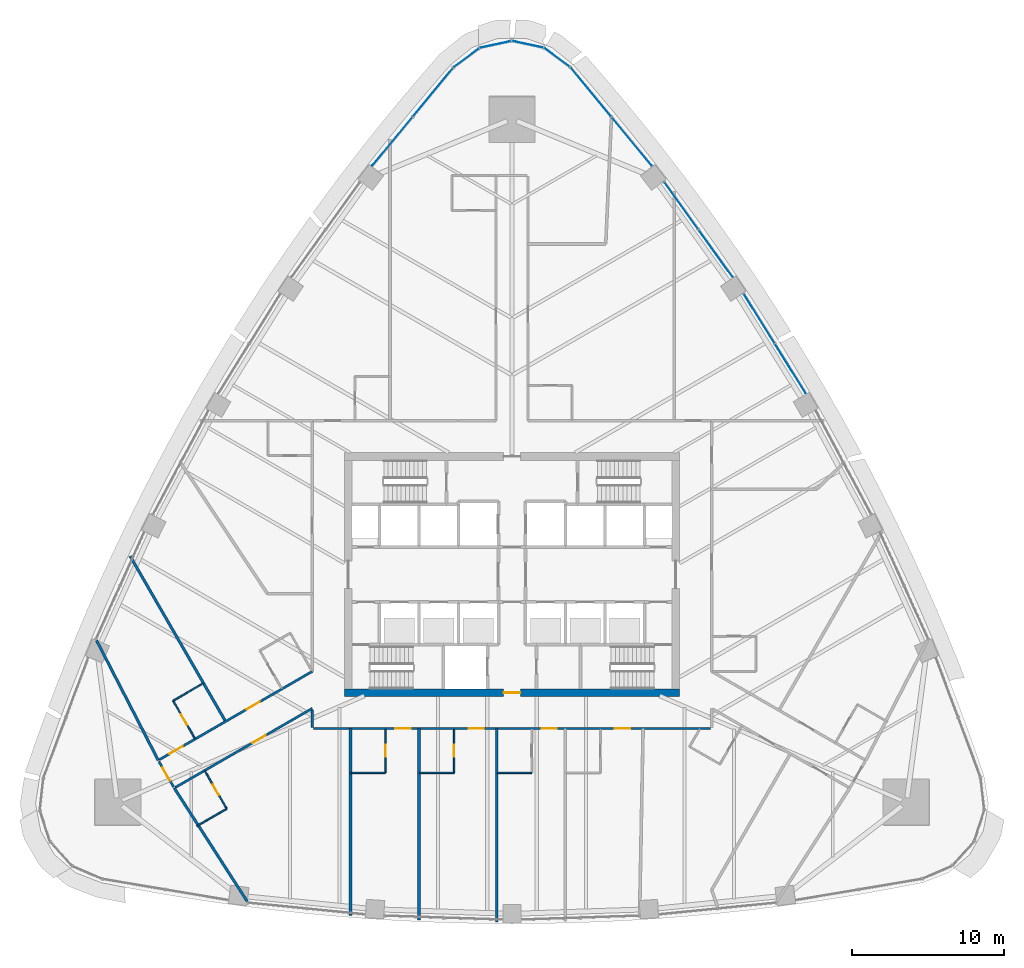
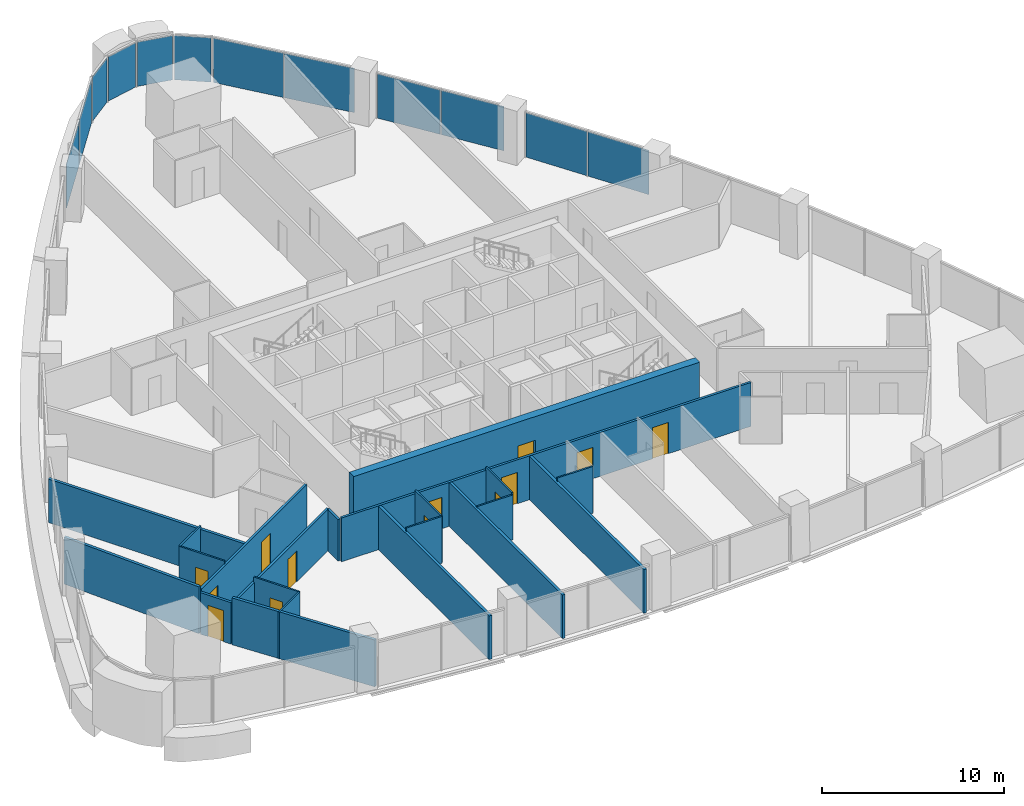
# One storey, part 9 of 17: 21 walls, 13 doors, 12 plates, 13 openings, 8 elements without a shape of their own.
"""IFC4 building model written with IfcOpenShell, lengths in metres."""

from ifc_helpers import new_model, si_unit, direction, frame, frame_2d, origin, origin_2d, place, context, subcontext, project, spatial, rectangle, extrude, material, layer, layer_set, type_object, element, fill, aggregate, save


model = new_model("IFC4")

# Units and contexts
model_context = context("Model", 3, precision=1e-05, world=origin(), true_north=direction((0.0, 1.0)))
body_context = subcontext(model_context, "Body", "Model", "MODEL_VIEW")
ifc_project = project(units=[si_unit("LENGTHUNIT", "METRE"), si_unit("AREAUNIT", "SQUARE_METRE"), si_unit("VOLUMEUNIT", "CUBIC_METRE"), si_unit("PLANEANGLEUNIT", "RADIAN"), si_unit("MASSUNIT", "GRAM", prefix="KILO")], contexts=[model_context])

# Site, building, storey
site_placement = place(None, origin())
site = spatial("IfcSite", under=ifc_project, at=site_placement, CompositionType="ELEMENT")
building_placement = place(site_placement, origin())
building = spatial("IfcBuilding", under=site, at=building_placement, Name="Sierra Prisma Convention Tower", CompositionType="ELEMENT")
storey_placement = place(building_placement, frame((0.0, 0.0, 92.39990234375)))
storey = spatial("IfcBuildingStorey", under=building, at=storey_placement, Name="L19", CompositionType="ELEMENT", Elevation=92.39990234375)

# Curtain wall, plates
ifc_material_1 = material(Name="Aluminium and glass curtain wall", Category="aluminium")
ifc_layer_1 = layer(ifc_material_1, 0.179931640625)
ifc_layer_set_1 = layer_set([ifc_layer_1], Name="CW-1 Plain shaft curtain wall")
curtain_wall_type = type_object("IfcCurtainWallType", Name="CW-1 Plain shaft curtain wall", PredefinedType="NOTDEFINED", material=ifc_layer_set_1)
curtain_wall_1_placement = place(storey_placement, origin())
curtain_wall_1 = element("IfcCurtainWall", 1, at=curtain_wall_1_placement, inside=storey, type_object=curtain_wall_type, Name="CW-1 NE4 L19", PredefinedType="NOTDEFINED")
ifc_material_2 = material(Name="Tinted glass bronze-grey IGU", Category="glass")
ifc_layer_2 = layer(ifc_material_2, 0.028076171875)
ifc_layer_set_2 = layer_set([ifc_layer_2], Name="CW-1 glass panel")
plate_type = type_object("IfcPlateType", Name="CW-1 glass panel", PredefinedType="CURTAIN_PANEL", material=ifc_layer_set_2)
plate_1_placement = place(storey_placement, frame((18.261962890625, 13.510009765625, 0.0), z_axis=(0.0, 0.0, 1.0), x_axis=(-0.528502807183, 0.84893155366, 0.0)))
plate_1 = element("IfcPlate", 2, at=plate_1_placement, type_object=plate_type, Name="CW-1 panel NE4.1", PredefinedType="CURTAIN_PANEL", context=body_context, shape_type="SweptSolid", body=[
    extrude(rectangle(XDim=3.801025390625, YDim=0.028076171875, at=origin_2d()), origin(), (0.0, 0.0, 1.0), 2.97998046875),
])
plate_2_placement = place(storey_placement, frame((16.216064453125, 16.796142578125, 0.0), z_axis=(0.0, 0.0, 1.0), x_axis=(-0.528502807183, 0.84893155366, 0.0)))
plate_2 = element("IfcPlate", 3, at=plate_2_placement, type_object=plate_type, Name="CW-1 panel NE4.2", PredefinedType="CURTAIN_PANEL", context=body_context, shape_type="SweptSolid", body=[
    extrude(rectangle(XDim=3.801025390625, YDim=0.028076171875, at=origin_2d()), origin(), (0.0, 0.0, 1.0), 2.97998046875),
])
aggregate(curtain_wall_1, [plate_1, plate_2])

curtain_wall_2_placement = place(storey_placement, origin())
curtain_wall_2 = element("IfcCurtainWall", 4, at=curtain_wall_2_placement, inside=storey, type_object=curtain_wall_type, Name="CW-1 NE5 L19", PredefinedType="NOTDEFINED")
plate_3_placement = place(storey_placement, frame((13.35498046875, 21.06982421875, 0.0), z_axis=(0.0, 0.0, 1.0), x_axis=(-0.583726213902, 0.811950557118, 0.0)))
plate_3 = element("IfcPlate", 5, at=plate_3_placement, type_object=plate_type, Name="CW-1 panel NE5.1", PredefinedType="CURTAIN_PANEL", context=body_context, shape_type="SweptSolid", body=[
    extrude(rectangle(XDim=3.78564453125, YDim=0.028076171875, at=origin_2d()), origin(), (0.0, 0.0, 1.0), 2.97998046875),
])
plate_4_placement = place(storey_placement, frame((11.1044921875, 24.200439453125, 0.0), z_axis=(0.0, 0.0, 1.0), x_axis=(-0.583726213902, 0.811950557118, 0.0)))
plate_4 = element("IfcPlate", 6, at=plate_4_placement, type_object=plate_type, Name="CW-1 panel NE5.2", PredefinedType="CURTAIN_PANEL", context=body_context, shape_type="SweptSolid", body=[
    extrude(rectangle(XDim=3.78564453125, YDim=0.028076171875, at=origin_2d()), origin(), (0.0, 0.0, 1.0), 2.97998046875),
])
aggregate(curtain_wall_2, [plate_3, plate_4])

curtain_wall_3_placement = place(storey_placement, origin())
curtain_wall_3 = element("IfcCurtainWall", 7, at=curtain_wall_3_placement, inside=storey, type_object=curtain_wall_type, Name="CW-1 NE6 L19", PredefinedType="NOTDEFINED")
plate_5_placement = place(storey_placement, frame((7.849853515625, 28.41748046875, 0.0), z_axis=(0.0, 0.0, 1.0), x_axis=(-0.636371174241, 0.771382997346, 0.0)))
plate_5 = element("IfcPlate", 8, at=plate_5_placement, type_object=plate_type, Name="CW-1 panel NE6.1", PredefinedType="CURTAIN_PANEL", context=body_context, shape_type="SweptSolid", body=[
    extrude(rectangle(XDim=4.107177734375, YDim=0.028076171875, at=origin_2d()), origin(), (0.0, 0.0, 1.0), 2.97998046875),
])
plate_6_placement = place(storey_placement, frame((5.19140625, 31.639892578125, 0.0), z_axis=(0.0, 0.0, 1.0), x_axis=(-0.636371174241, 0.771382997346, 0.0)))
plate_6 = element("IfcPlate", 9, at=plate_6_placement, type_object=plate_type, Name="CW-1 panel NE6.2", PredefinedType="CURTAIN_PANEL", context=body_context, shape_type="SweptSolid", body=[
    extrude(rectangle(XDim=4.107177734375, YDim=0.028076171875, at=origin_2d()), origin(), (0.0, 0.0, 1.0), 2.97998046875),
])
aggregate(curtain_wall_3, [plate_5, plate_6])

# Curtain wall, plate
curtain_wall_4_placement = place(storey_placement, origin())
curtain_wall_4 = element("IfcCurtainWall", 10, at=curtain_wall_4_placement, inside=storey, type_object=curtain_wall_type, Name="CW-1 N1 L19", PredefinedType="NOTDEFINED")
plate_7_placement = place(storey_placement, frame((2.973388671875, 33.917724609375, 0.0), z_axis=(0.0, 0.0, 1.0), x_axis=(-0.804578626963, 0.593846135826, 0.0)))
plate_7 = element("IfcPlate", 11, at=plate_7_placement, type_object=plate_type, Name="CW-1 panel N1.1", PredefinedType="CURTAIN_PANEL", context=body_context, shape_type="SweptSolid", body=[
    extrude(rectangle(XDim=2.0146484375, YDim=0.028076171875, at=origin_2d()), origin(), (0.0, 0.0, 1.0), 2.97998046875),
])
aggregate(curtain_wall_4, [plate_7])

curtain_wall_5_placement = place(storey_placement, origin())
curtain_wall_5 = element("IfcCurtainWall", 12, at=curtain_wall_5_placement, inside=storey, type_object=curtain_wall_type, Name="CW-1 N2 L19", PredefinedType="NOTDEFINED")
plate_8_placement = place(storey_placement, frame((1.05322265625, 34.7841796875, 0.0), z_axis=(0.0, 0.0, 1.0), x_axis=(-0.977623907401, 0.210360394745, 0.0)))
plate_8 = element("IfcPlate", 13, at=plate_8_placement, type_object=plate_type, Name="CW-1 panel N2.1", PredefinedType="CURTAIN_PANEL", context=body_context, shape_type="SweptSolid", body=[
    extrude(rectangle(XDim=2.0146484375, YDim=0.028076171875, at=origin_2d()), origin(), (0.0, 0.0, 1.0), 2.97998046875),
])
aggregate(curtain_wall_5, [plate_8])

curtain_wall_6_placement = place(storey_placement, origin())
curtain_wall_6 = element("IfcCurtainWall", 14, at=curtain_wall_6_placement, inside=storey, type_object=curtain_wall_type, Name="CW-1 N3 L19", PredefinedType="NOTDEFINED")
plate_9_placement = place(storey_placement, frame((-1.05322265625, 34.7841796875, 0.0), z_axis=(0.0, 0.0, 1.0), x_axis=(-0.977623907401, -0.210360394745, 0.0)))
plate_9 = element("IfcPlate", 15, at=plate_9_placement, type_object=plate_type, Name="CW-1 panel N3.1", PredefinedType="CURTAIN_PANEL", context=body_context, shape_type="SweptSolid", body=[
    extrude(rectangle(XDim=2.0146484375, YDim=0.028076171875, at=origin_2d()), origin(), (0.0, 0.0, 1.0), 2.97998046875),
])
aggregate(curtain_wall_6, [plate_9])

curtain_wall_7_placement = place(storey_placement, origin())
curtain_wall_7 = element("IfcCurtainWall", 16, at=curtain_wall_7_placement, inside=storey, type_object=curtain_wall_type, Name="CW-1 N4 L19", PredefinedType="NOTDEFINED")
plate_10_placement = place(storey_placement, frame((-2.973388671875, 33.917724609375, 0.0), z_axis=(0.0, 0.0, 1.0), x_axis=(-0.804578626963, -0.593846135826, 0.0)))
plate_10 = element("IfcPlate", 17, at=plate_10_placement, type_object=plate_type, Name="CW-1 panel N4.1", PredefinedType="CURTAIN_PANEL", context=body_context, shape_type="SweptSolid", body=[
    extrude(rectangle(XDim=2.0146484375, YDim=0.028076171875, at=origin_2d()), origin(), (0.0, 0.0, 1.0), 2.97998046875),
])
aggregate(curtain_wall_7, [plate_10])

# Curtain wall, plates
curtain_wall_8_placement = place(storey_placement, origin())
curtain_wall_8 = element("IfcCurtainWall", 18, at=curtain_wall_8_placement, inside=storey, type_object=curtain_wall_type, Name="CW-1 NW1 L19", PredefinedType="NOTDEFINED")
plate_11_placement = place(storey_placement, frame((-5.19140625, 31.639892578125, 0.0), z_axis=(0.0, 0.0, 1.0), x_axis=(-0.636371174241, -0.771382997346, 0.0)))
plate_11 = element("IfcPlate", 19, at=plate_11_placement, type_object=plate_type, Name="CW-1 panel NW1.1", PredefinedType="CURTAIN_PANEL", context=body_context, shape_type="SweptSolid", body=[
    extrude(rectangle(XDim=4.107177734375, YDim=0.028076171875, at=origin_2d()), origin(), (0.0, 0.0, 1.0), 2.97998046875),
])
plate_12_placement = place(storey_placement, frame((-7.849853515625, 28.41748046875, 0.0), z_axis=(0.0, 0.0, 1.0), x_axis=(-0.636371174241, -0.771382997346, 0.0)))
plate_12 = element("IfcPlate", 20, at=plate_12_placement, type_object=plate_type, Name="CW-1 panel NW1.2", PredefinedType="CURTAIN_PANEL", context=body_context, shape_type="SweptSolid", body=[
    extrude(rectangle(XDim=4.107177734375, YDim=0.028076171875, at=origin_2d()), origin(), (0.0, 0.0, 1.0), 2.97998046875),
])
aggregate(curtain_wall_8, [plate_11, plate_12])

# Wall, opening, door
ifc_material_3 = material(Name="Gypsum board partition", Category="gypsum")
ifc_layer_3 = layer(ifc_material_3, 0.10009765625)
ifc_layer_set_3 = layer_set([ifc_layer_3], Name="Bathroom partition 100")
wall_type_1 = type_object("IfcWallType", Name="Bathroom partition 100", PredefinedType="PARTITIONING", material=ifc_layer_set_3)
wall_1_placement = place(storey_placement, frame((-20.7958984375, -10.759521484375, 0.0), z_axis=(0.0, 0.0, 1.0), x_axis=(-0.499936001555, 0.866062350151, 0.0)))
wall_1 = element("IfcWall", 21, at=wall_1_placement, inside=storey, type_object=wall_type_1, Name="Partition L19 bath 1", PredefinedType="PARTITIONING", context=body_context, shape_type="SweptSolid", body=[
    extrude(rectangle(XDim=2.8701171875, YDim=0.10009765625, at=frame_2d((1.43505859375, 0.0))), origin(), (0.0, 0.0, 1.0), 3.150146484375),
])
opening_1_placement = place(wall_1_placement, frame((1.034912109375, 0.0, 0.0)))
opening_1 = element("IfcOpeningElement", 22, at=opening_1_placement, cuts=wall_1, Name="Opening L19-D006", PredefinedType="OPENING", context=body_context, shape_type="SweptSolid", body=[
    extrude(rectangle(XDim=0.800048828125, YDim=2.10009765625, at=frame_2d((0.39990234375, 1.050048828125))), frame((0.0, 0.050048828125, 0.0), z_axis=(0.0, -1.0, 0.0), x_axis=(1.0, 0.0, 0.0)), (0.0, 0.0, 1.0), 0.10009765625),
])
ifc_material_4 = material(Name="Solid core timber door leaf", Category="wood")
door_type_1 = type_object("IfcDoorType", Name="Door 800x2100 plain", OperationType="SINGLE_SWING_LEFT", PredefinedType="DOOR", material=ifc_material_4)
door_1_placement = place(opening_1_placement, origin())
door_1 = element("IfcDoor", 23, at=door_1_placement, inside=storey, type_object=door_type_1, Name="Door L19 14", OperationType="SINGLE_SWING_LEFT", OverallHeight=2.10009765625, OverallWidth=0.800048828125, PredefinedType="DOOR", context=body_context, shape_type="SweptSolid", body=[
    extrude(rectangle(XDim=0.800048828125, YDim=2.10009765625, at=frame_2d((0.39990234375, 1.050048828125))), frame((0.0, 0.02490234375, 0.0), z_axis=(0.0, -1.0, 0.0), x_axis=(1.0, 0.0, 0.0)), (0.0, 0.0, 1.0), 0.050048828125),
])
fill(opening_1, door_1)

# Wall
wall_2_placement = place(storey_placement, frame((-22.230712890625, -8.27392578125, 0.0), z_axis=(0.0, 0.0, 1.0), x_axis=(0.866017224141, 0.500014167291, 0.0)))
element("IfcWall", 24, at=wall_2_placement, inside=storey, type_object=wall_type_1, Name="Partition L19 bath 2", PredefinedType="PARTITIONING", context=body_context, shape_type="SweptSolid", body=[
    extrude(rectangle(XDim=2.27001953125, YDim=0.10009765625, at=frame_2d((1.135009765625, 0.0))), origin(), (0.0, 0.0, 1.0), 3.150146484375),
])

# Wall, opening, door
wall_3_placement = place(storey_placement, frame((-20.148681640625, -12.8798828125, 0.0), z_axis=(0.0, 0.0, 1.0), x_axis=(0.499936001555, -0.866062350151, 0.0)))
wall_3 = element("IfcWall", 25, at=wall_3_placement, inside=storey, type_object=wall_type_1, Name="Partition L19 bath 3", PredefinedType="PARTITIONING", context=body_context, shape_type="SweptSolid", body=[
    extrude(rectangle(XDim=2.8701171875, YDim=0.10009765625, at=frame_2d((1.43505859375, 0.0))), origin(), (0.0, 0.0, 1.0), 3.150146484375),
])
opening_2_placement = place(wall_3_placement, frame((1.034912109375, 0.0, 0.0)))
opening_2 = element("IfcOpeningElement", 26, at=opening_2_placement, cuts=wall_3, Name="Opening L19-D007", PredefinedType="OPENING", context=body_context, shape_type="SweptSolid", body=[
    extrude(rectangle(XDim=0.800048828125, YDim=2.10009765625, at=frame_2d((0.39990234375, 1.050048828125))), frame((0.0, 0.050048828125, 0.0), z_axis=(0.0, -1.0, 0.0), x_axis=(1.0, 0.0, 0.0)), (0.0, 0.0, 1.0), 0.10009765625),
])
door_2_placement = place(opening_2_placement, origin())
door_2 = element("IfcDoor", 27, at=door_2_placement, inside=storey, type_object=door_type_1, Name="Door L19 17", OperationType="SINGLE_SWING_LEFT", OverallHeight=2.10009765625, OverallWidth=0.800048828125, PredefinedType="DOOR", context=body_context, shape_type="SweptSolid", body=[
    extrude(rectangle(XDim=0.800048828125, YDim=2.10009765625, at=frame_2d((0.39990234375, 1.050048828125))), frame((0.0, 0.02490234375, 0.0), z_axis=(0.0, -1.0, 0.0), x_axis=(1.0, 0.0, 0.0)), (0.0, 0.0, 1.0), 0.050048828125),
])
fill(opening_2, door_2)

# Wall
wall_4_placement = place(storey_placement, frame((-18.7138671875, -15.365478515625, 0.0), z_axis=(0.0, 0.0, 1.0), x_axis=(-0.866017224141, -0.500014167291, 0.0)))
element("IfcWall", 28, at=wall_4_placement, inside=storey, type_object=wall_type_1, Name="Partition L19 bath 4", PredefinedType="PARTITIONING", context=body_context, shape_type="SweptSolid", body=[
    extrude(rectangle(XDim=2.27001953125, YDim=0.10009765625, at=frame_2d((1.135009765625, 0.0))), origin(), (0.0, 0.0, 1.0), 3.150146484375),
])

# Wall, opening, door
wall_5_placement = place(storey_placement, frame((-8.300048828125, -10.1298828125, 0.0), z_axis=(0.0, 0.0, 1.0), x_axis=(0.0, -1.0, 0.0)))
wall_5 = element("IfcWall", 29, at=wall_5_placement, inside=storey, type_object=wall_type_1, Name="Partition L19 bath 10", PredefinedType="PARTITIONING", context=body_context, shape_type="SweptSolid", body=[
    extrude(rectangle(XDim=2.8701171875, YDim=0.10009765625, at=frame_2d((1.43505859375, 0.0))), origin(), (0.0, 0.0, 1.0), 3.150146484375),
])
opening_3_placement = place(wall_5_placement, frame((1.034912109375, 0.0, 0.0)))
opening_3 = element("IfcOpeningElement", 30, at=opening_3_placement, cuts=wall_5, Name="Opening L19-D008", PredefinedType="OPENING", context=body_context, shape_type="SweptSolid", body=[
    extrude(rectangle(XDim=0.800048828125, YDim=2.10009765625, at=frame_2d((0.39990234375, 1.050048828125))), frame((0.0, 0.050048828125, 0.0), z_axis=(0.0, -1.0, 0.0), x_axis=(1.0, 0.0, 0.0)), (0.0, 0.0, 1.0), 0.10009765625),
])
door_3_placement = place(opening_3_placement, origin())
door_3 = element("IfcDoor", 31, at=door_3_placement, inside=storey, type_object=door_type_1, Name="Door L19 19", OperationType="SINGLE_SWING_LEFT", OverallHeight=2.10009765625, OverallWidth=0.800048828125, PredefinedType="DOOR", context=body_context, shape_type="SweptSolid", body=[
    extrude(rectangle(XDim=0.800048828125, YDim=2.10009765625, at=frame_2d((0.39990234375, 1.050048828125))), frame((0.0, 0.02490234375, 0.0), z_axis=(0.0, -1.0, 0.0), x_axis=(1.0, 0.0, 0.0)), (0.0, 0.0, 1.0), 0.050048828125),
])
fill(opening_3, door_3)

# Wall
wall_6_placement = place(storey_placement, frame((-8.300048828125, -13.0, 0.0), z_axis=(0.0, 0.0, 1.0), x_axis=(-1.0, 0.0, 0.0)))
element("IfcWall", 32, at=wall_6_placement, inside=storey, type_object=wall_type_1, Name="Partition L19 bath 11", PredefinedType="PARTITIONING", context=body_context, shape_type="SweptSolid", body=[
    extrude(rectangle(XDim=2.27001953125, YDim=0.10009765625, at=frame_2d((1.135009765625, 0.0))), origin(), (0.0, 0.0, 1.0), 3.150146484375),
])

# Wall, opening, door
wall_7_placement = place(storey_placement, frame((-3.800048828125, -10.1298828125, 0.0), z_axis=(0.0, 0.0, 1.0), x_axis=(0.0, -1.0, 0.0)))
wall_7 = element("IfcWall", 33, at=wall_7_placement, inside=storey, type_object=wall_type_1, Name="Partition L19 bath 14", PredefinedType="PARTITIONING", context=body_context, shape_type="SweptSolid", body=[
    extrude(rectangle(XDim=2.8701171875, YDim=0.10009765625, at=frame_2d((1.43505859375, 0.0))), origin(), (0.0, 0.0, 1.0), 3.150146484375),
])
opening_4_placement = place(wall_7_placement, frame((1.034912109375, 0.0, 0.0)))
opening_4 = element("IfcOpeningElement", 34, at=opening_4_placement, cuts=wall_7, Name="Opening L19-D009", PredefinedType="OPENING", context=body_context, shape_type="SweptSolid", body=[
    extrude(rectangle(XDim=0.800048828125, YDim=2.10009765625, at=frame_2d((0.39990234375, 1.050048828125))), frame((0.0, 0.050048828125, 0.0), z_axis=(0.0, -1.0, 0.0), x_axis=(1.0, 0.0, 0.0)), (0.0, 0.0, 1.0), 0.10009765625),
])
door_4_placement = place(opening_4_placement, origin())
door_4 = element("IfcDoor", 35, at=door_4_placement, inside=storey, type_object=door_type_1, Name="Door L19 21", OperationType="SINGLE_SWING_RIGHT", OverallHeight=2.10009765625, OverallWidth=0.800048828125, PredefinedType="DOOR", context=body_context, shape_type="SweptSolid", body=[
    extrude(rectangle(XDim=0.800048828125, YDim=2.10009765625, at=frame_2d((0.39990234375, 1.050048828125))), frame((0.0, 0.02490234375, 0.0), z_axis=(0.0, -1.0, 0.0), x_axis=(1.0, 0.0, 0.0)), (0.0, 0.0, 1.0), 0.050048828125),
])
fill(opening_4, door_4)

# Walls
wall_8_placement = place(storey_placement, frame((-3.800048828125, -13.0, 0.0), z_axis=(0.0, 0.0, 1.0), x_axis=(-1.0, 0.0, 0.0)))
element("IfcWall", 36, at=wall_8_placement, inside=storey, type_object=wall_type_1, Name="Partition L19 bath 15", PredefinedType="PARTITIONING", context=body_context, shape_type="SweptSolid", body=[
    extrude(rectangle(XDim=2.27001953125, YDim=0.10009765625, at=frame_2d((1.135009765625, 0.0))), origin(), (0.0, 0.0, 1.0), 3.01708984375),
])
wall_9_placement = place(storey_placement, frame((1.300048828125, -13.0, 0.0), z_axis=(0.0, 0.0, 1.0), x_axis=(-1.0, 0.0, 0.0)))
element("IfcWall", 37, at=wall_9_placement, inside=storey, type_object=wall_type_1, Name="Partition L19 bath 20", PredefinedType="PARTITIONING", context=body_context, shape_type="SweptSolid", body=[
    extrude(rectangle(XDim=2.27001953125, YDim=0.10009765625, at=frame_2d((1.135009765625, 0.0))), origin(), (0.0, 0.0, 1.0), 3.150146484375),
])

# Wall, opening, door
ifc_material_5 = material(Name="Concrete C60/75", Category="concrete")
ifc_layer_4 = layer(ifc_material_5, 0.5)
ifc_layer_set_4 = layer_set([ifc_layer_4], Name="Core wall RC 500 C60/75")
wall_type_2 = type_object("IfcWallType", Name="Core wall RC 500 C60/75", PredefinedType="SHEAR", material=ifc_layer_set_4)
wall_10_placement = place(storey_placement, frame((-11.0, -7.75, 0.0), z_axis=(0.0, 0.0, 1.0), x_axis=(1.0, 0.0, 0.0)))
wall_10 = element("IfcWall", 38, at=wall_10_placement, inside=storey, type_object=wall_type_2, Name="Core wall S L19", PredefinedType="SHEAR", context=body_context, shape_type="SweptSolid", body=[
    extrude(rectangle(XDim=22.0, YDim=0.5, at=frame_2d((11.0, 0.0))), origin(), (0.0, 0.0, 1.0), 3.7001953125),
])
opening_5_placement = place(wall_10_placement, frame((10.449951171875, 0.0, 0.0)))
opening_5 = element("IfcOpeningElement", 39, at=opening_5_placement, cuts=wall_10, Name="Opening L19-D058", PredefinedType="OPENING", context=body_context, shape_type="SweptSolid", body=[
    extrude(rectangle(XDim=1.10009765625, YDim=2.10009765625, at=frame_2d((0.550048828125, 1.050048828125))), frame((0.0, 0.25, 0.0), z_axis=(0.0, -1.0, 0.0), x_axis=(1.0, 0.0, 0.0)), (0.0, 0.0, 1.0), 0.5),
])
ifc_material_6 = material(Name="Steel fire door leaf", Category="steel")
door_type_2 = type_object("IfcDoorType", Name="Door 1100x2100 FD30S", OperationType="SINGLE_SWING_LEFT", PredefinedType="DOOR", material=ifc_material_6)
door_5_placement = place(opening_5_placement, origin())
door_5 = element("IfcDoor", 40, at=door_5_placement, inside=storey, type_object=door_type_2, Name="Door L19 59", OperationType="SINGLE_SWING_RIGHT", OverallHeight=2.10009765625, OverallWidth=1.10009765625, PredefinedType="DOOR", context=body_context, shape_type="SweptSolid", body=[
    extrude(rectangle(XDim=1.10009765625, YDim=2.10009765625, at=frame_2d((0.550048828125, 1.050048828125))), frame((0.0, 0.02490234375, 0.0), z_axis=(0.0, -1.0, 0.0), x_axis=(1.0, 0.0, 0.0)), (0.0, 0.0, 1.0), 0.050048828125),
])
fill(opening_5, door_5)

ifc_material_7 = material(Name="Gypsum board partition", Category="gypsum")
ifc_layer_5 = layer(ifc_material_7, 0.14990234375)
ifc_layer_set_5 = layer_set([ifc_layer_5], Name="Corridor wall 150 gypsum EI 60")
wall_type_3 = type_object("IfcWallType", Name="Corridor wall 150 gypsum EI 60", PredefinedType="PARTITIONING", material=ifc_layer_set_5)
wall_11_placement = place(storey_placement, frame((-23.16552734375, -12.254638671875, 0.0), z_axis=(0.0, 0.0, 1.0), x_axis=(0.499969367985, -0.866043088465, 0.0)))
wall_11 = element("IfcWall", 41, at=wall_11_placement, inside=storey, type_object=wall_type_3, Name="Partition L19 corr 1", PredefinedType="PARTITIONING", context=body_context, shape_type="SweptSolid", body=[
    extrude(rectangle(XDim=1.93994140625, YDim=0.14990234375, at=frame_2d((0.969970703125, 0.0))), origin(), (0.0, 0.0, 1.0), 2.797119140625),
])
opening_6_placement = place(wall_11_placement, frame((0.469970703125, 0.0, 0.0)))
opening_6 = element("IfcOpeningElement", 42, at=opening_6_placement, cuts=wall_11, Name="Opening L19-D045", PredefinedType="OPENING", context=body_context, shape_type="SweptSolid", body=[
    extrude(rectangle(XDim=1.0, YDim=2.10009765625, at=frame_2d((0.5, 1.050048828125))), frame((0.0, 0.074951171875, 0.0), z_axis=(0.0, -1.0, 0.0), x_axis=(1.0, 0.0, 0.0)), (0.0, 0.0, 1.0), 0.14990234375),
])
ifc_material_8 = material(Name="Steel fire door leaf", Category="steel")
door_type_3 = type_object("IfcDoorType", Name="Door 1000x2100 FD30S", OperationType="SINGLE_SWING_LEFT", PredefinedType="DOOR", material=ifc_material_8)
door_6_placement = place(opening_6_placement, origin())
door_6 = element("IfcDoor", 43, at=door_6_placement, inside=storey, type_object=door_type_3, Name="Door L19 15", OperationType="SINGLE_SWING_LEFT", OverallHeight=2.10009765625, OverallWidth=1.0, PredefinedType="DOOR", context=body_context, shape_type="SweptSolid", body=[
    extrude(rectangle(XDim=1.0, YDim=2.10009765625, at=frame_2d((0.5, 1.050048828125))), frame((0.0, 0.02490234375, 0.0), z_axis=(0.0, -1.0, 0.0), x_axis=(1.0, 0.0, 0.0)), (0.0, 0.0, 1.0), 0.050048828125),
])
fill(opening_6, door_6)

# Wall, openings, doors
wall_12_placement = place(storey_placement, frame((-13.10009765625, -6.350830078125, 0.0), z_axis=(0.0, 0.0, 1.0), x_axis=(-0.866028069402, -0.499995382986, 0.0)))
wall_12 = element("IfcWall", 44, at=wall_12_placement, inside=storey, type_object=wall_type_3, Name="Partition L19 corr 3", PredefinedType="PARTITIONING", context=body_context, shape_type="SweptSolid", body=[
    extrude(rectangle(XDim=11.5888671875, YDim=0.14990234375, at=frame_2d((5.79443359375, 0.0))), origin(), (0.0, 0.0, 1.0), 2.947021484375),
])
opening_7_placement = place(wall_12_placement, frame((3.984619140625, 0.0, 0.0)))
opening_7 = element("IfcOpeningElement", 45, at=opening_7_placement, cuts=wall_12, Name="Opening L19-D043", PredefinedType="OPENING", context=body_context, shape_type="SweptSolid", body=[
    extrude(rectangle(XDim=1.0, YDim=2.10009765625, at=frame_2d((0.5, 1.050048828125))), frame((0.0, 0.074951171875, 0.0), z_axis=(0.0, -1.0, 0.0), x_axis=(1.0, 0.0, 0.0)), (0.0, 0.0, 1.0), 0.14990234375),
])
opening_8_placement = place(wall_12_placement, frame((9.81884765625, 0.0, 0.0)))
opening_8 = element("IfcOpeningElement", 46, at=opening_8_placement, cuts=wall_12, Name="Opening L19-D044", PredefinedType="OPENING", context=body_context, shape_type="SweptSolid", body=[
    extrude(rectangle(XDim=1.0, YDim=2.10009765625, at=frame_2d((0.5, 1.050048828125))), frame((0.0, 0.074951171875, 0.0), z_axis=(0.0, -1.0, 0.0), x_axis=(1.0, 0.0, 0.0)), (0.0, 0.0, 1.0), 0.14990234375),
])
door_7_placement = place(opening_7_placement, origin())
door_7 = element("IfcDoor", 47, at=door_7_placement, inside=storey, type_object=door_type_3, Name="Door L19 11", OperationType="SINGLE_SWING_LEFT", OverallHeight=2.10009765625, OverallWidth=1.0, PredefinedType="DOOR", context=body_context, shape_type="SweptSolid", body=[
    extrude(rectangle(XDim=1.0, YDim=2.10009765625, at=frame_2d((0.5, 1.050048828125))), frame((0.0, 0.02490234375, 0.0), z_axis=(0.0, -1.0, 0.0), x_axis=(1.0, 0.0, 0.0)), (0.0, 0.0, 1.0), 0.050048828125),
])
fill(opening_7, door_7)
door_8_placement = place(opening_8_placement, origin())
door_8 = element("IfcDoor", 48, at=door_8_placement, inside=storey, type_object=door_type_3, Name="Door L19 13", OperationType="SINGLE_SWING_LEFT", OverallHeight=2.10009765625, OverallWidth=1.0, PredefinedType="DOOR", context=body_context, shape_type="SweptSolid", body=[
    extrude(rectangle(XDim=1.0, YDim=2.10009765625, at=frame_2d((0.5, 1.050048828125))), frame((0.0, 0.02490234375, 0.0), z_axis=(0.0, -1.0, 0.0), x_axis=(1.0, 0.0, 0.0)), (0.0, 0.0, 1.0), 0.050048828125),
])
fill(opening_8, door_8)

# Wall, opening, door
wall_13_placement = place(storey_placement, frame((-22.08642578125, -13.964111328125, 0.0), z_axis=(0.0, 0.0, 1.0), x_axis=(0.866016323255, 0.500015727609, 0.0)))
wall_13 = element("IfcWall", 49, at=wall_13_placement, inside=storey, type_object=wall_type_3, Name="Partition L19 corr 4", PredefinedType="PARTITIONING", context=body_context, shape_type="SweptSolid", body=[
    extrude(rectangle(XDim=10.376708984375, YDim=0.14990234375, at=frame_2d((5.1884765625, 0.0))), origin(), (0.0, 0.0, 1.0), 2.797119140625),
])
opening_9_placement = place(wall_13_placement, frame((5.848388671875, 0.0, 0.0)))
opening_9 = element("IfcOpeningElement", 50, at=opening_9_placement, cuts=wall_13, Name="Opening L19-D046", PredefinedType="OPENING", context=body_context, shape_type="SweptSolid", body=[
    extrude(rectangle(XDim=1.0, YDim=2.10009765625, at=frame_2d((0.5, 1.050048828125))), frame((0.0, 0.074951171875, 0.0), z_axis=(0.0, -1.0, 0.0), x_axis=(1.0, 0.0, 0.0)), (0.0, 0.0, 1.0), 0.14990234375),
])
door_9_placement = place(opening_9_placement, origin())
door_9 = element("IfcDoor", 51, at=door_9_placement, inside=storey, type_object=door_type_3, Name="Door L19 16", OperationType="SINGLE_SWING_LEFT", OverallHeight=2.10009765625, OverallWidth=1.0, PredefinedType="DOOR", context=body_context, shape_type="SweptSolid", body=[
    extrude(rectangle(XDim=1.0, YDim=2.10009765625, at=frame_2d((0.5, 1.050048828125))), frame((0.0, 0.02490234375, 0.0), z_axis=(0.0, -1.0, 0.0), x_axis=(1.0, 0.0, 0.0)), (0.0, 0.0, 1.0), 0.050048828125),
])
fill(opening_9, door_9)

# Wall
wall_14_placement = place(storey_placement, frame((-13.10009765625, -8.8671875, 0.0), z_axis=(0.0, 0.0, 1.0), x_axis=(0.0, -1.0, 0.0)))
element("IfcWall", 52, at=wall_14_placement, inside=storey, type_object=wall_type_3, Name="Partition L19 corr 5", PredefinedType="PARTITIONING", context=body_context, shape_type="SweptSolid", body=[
    extrude(rectangle(XDim=1.15283203125, YDim=0.14990234375, at=frame_2d((0.576416015625, 0.0))), origin(), (0.0, 0.0, 1.0), 2.797119140625),
])

# Wall, openings, doors
wall_15_placement = place(storey_placement, frame((-13.02001953125, -10.10009765625, 0.0), z_axis=(0.0, 0.0, 1.0), x_axis=(1.0, 0.0, 0.0)))
wall_15 = element("IfcWall", 53, at=wall_15_placement, inside=storey, type_object=wall_type_3, Name="Partition L19 corr 6", PredefinedType="PARTITIONING", context=body_context, shape_type="SweptSolid", body=[
    extrude(rectangle(XDim=26.0400390625, YDim=0.14990234375, at=frame_2d((13.02001953125, 0.0))), origin(), (0.0, 0.0, 1.0), 2.947021484375),
])
opening_10_placement = place(wall_15_placement, frame((5.3701171875, 0.0, 0.0)))
opening_10 = element("IfcOpeningElement", 54, at=opening_10_placement, cuts=wall_15, Name="Opening L19-D047", PredefinedType="OPENING", context=body_context, shape_type="SweptSolid", body=[
    extrude(rectangle(XDim=1.0, YDim=2.10009765625, at=frame_2d((0.5, 1.050048828125))), frame((0.0, 0.074951171875, 0.0), z_axis=(0.0, -1.0, 0.0), x_axis=(1.0, 0.0, 0.0)), (0.0, 0.0, 1.0), 0.14990234375),
])
opening_11_placement = place(wall_15_placement, frame((10.169921875, 0.0, 0.0)))
opening_11 = element("IfcOpeningElement", 55, at=opening_11_placement, cuts=wall_15, Name="Opening L19-D048", PredefinedType="OPENING", context=body_context, shape_type="SweptSolid", body=[
    extrude(rectangle(XDim=1.0, YDim=2.10009765625, at=frame_2d((0.5, 1.050048828125))), frame((0.0, 0.074951171875, 0.0), z_axis=(0.0, -1.0, 0.0), x_axis=(1.0, 0.0, 0.0)), (0.0, 0.0, 1.0), 0.14990234375),
])
opening_12_placement = place(wall_15_placement, frame((14.969970703125, 0.0, 0.0)))
opening_12 = element("IfcOpeningElement", 56, at=opening_12_placement, cuts=wall_15, Name="Opening L19-D049", PredefinedType="OPENING", context=body_context, shape_type="SweptSolid", body=[
    extrude(rectangle(XDim=1.0, YDim=2.10009765625, at=frame_2d((0.5, 1.050048828125))), frame((0.0, 0.074951171875, 0.0), z_axis=(0.0, -1.0, 0.0), x_axis=(1.0, 0.0, 0.0)), (0.0, 0.0, 1.0), 0.14990234375),
])
opening_13_placement = place(wall_15_placement, frame((19.77001953125, 0.0, 0.0)))
opening_13 = element("IfcOpeningElement", 57, at=opening_13_placement, cuts=wall_15, Name="Opening L19-D050", PredefinedType="OPENING", context=body_context, shape_type="SweptSolid", body=[
    extrude(rectangle(XDim=1.0, YDim=2.10009765625, at=frame_2d((0.5, 1.050048828125))), frame((0.0, 0.074951171875, 0.0), z_axis=(0.0, -1.0, 0.0), x_axis=(1.0, 0.0, 0.0)), (0.0, 0.0, 1.0), 0.14990234375),
])
door_10_placement = place(opening_10_placement, origin())
door_10 = element("IfcDoor", 58, at=door_10_placement, inside=storey, type_object=door_type_3, Name="Door L19 18", OperationType="SINGLE_SWING_LEFT", OverallHeight=2.10009765625, OverallWidth=1.0, PredefinedType="DOOR", context=body_context, shape_type="SweptSolid", body=[
    extrude(rectangle(XDim=1.0, YDim=2.10009765625, at=frame_2d((0.5, 1.050048828125))), frame((0.0, 0.02490234375, 0.0), z_axis=(0.0, -1.0, 0.0), x_axis=(1.0, 0.0, 0.0)), (0.0, 0.0, 1.0), 0.050048828125),
])
fill(opening_10, door_10)
door_11_placement = place(opening_11_placement, origin())
door_11 = element("IfcDoor", 59, at=door_11_placement, inside=storey, type_object=door_type_3, Name="Door L19 20", OperationType="SINGLE_SWING_LEFT", OverallHeight=2.10009765625, OverallWidth=1.0, PredefinedType="DOOR", context=body_context, shape_type="SweptSolid", body=[
    extrude(rectangle(XDim=1.0, YDim=2.10009765625, at=frame_2d((0.5, 1.050048828125))), frame((0.0, 0.02490234375, 0.0), z_axis=(0.0, -1.0, 0.0), x_axis=(1.0, 0.0, 0.0)), (0.0, 0.0, 1.0), 0.050048828125),
])
fill(opening_11, door_11)
door_12_placement = place(opening_12_placement, origin())
door_12 = element("IfcDoor", 60, at=door_12_placement, inside=storey, type_object=door_type_3, Name="Door L19 22", OperationType="SINGLE_SWING_LEFT", OverallHeight=2.10009765625, OverallWidth=1.0, PredefinedType="DOOR", context=body_context, shape_type="SweptSolid", body=[
    extrude(rectangle(XDim=1.0, YDim=2.10009765625, at=frame_2d((0.5, 1.050048828125))), frame((0.0, 0.02490234375, 0.0), z_axis=(0.0, -1.0, 0.0), x_axis=(1.0, 0.0, 0.0)), (0.0, 0.0, 1.0), 0.050048828125),
])
fill(opening_12, door_12)
door_13_placement = place(opening_13_placement, origin())
door_13 = element("IfcDoor", 61, at=door_13_placement, inside=storey, type_object=door_type_3, Name="Door L19 24", OperationType="SINGLE_SWING_LEFT", OverallHeight=2.10009765625, OverallWidth=1.0, PredefinedType="DOOR", context=body_context, shape_type="SweptSolid", body=[
    extrude(rectangle(XDim=1.0, YDim=2.10009765625, at=frame_2d((0.5, 1.050048828125))), frame((0.0, 0.02490234375, 0.0), z_axis=(0.0, -1.0, 0.0), x_axis=(1.0, 0.0, 0.0)), (0.0, 0.0, 1.0), 0.050048828125),
])
fill(opening_13, door_13)

# Walls
ifc_material_9 = material(Name="Acoustic gypsum board partition", Category="gypsum")
ifc_layer_6 = layer(ifc_material_9, 0.175048828125)
ifc_layer_set_6 = layer_set([ifc_layer_6], Name="Guest room party wall 175 acoustic EI 60")
wall_type_4 = type_object("IfcWallType", Name="Guest room party wall 175 acoustic EI 60", PredefinedType="PARTITIONING", material=ifc_layer_set_6)
wall_16_placement = place(storey_placement, frame((-23.20556640625, -12.185302734375, 0.0), z_axis=(0.0, 0.0, 1.0), x_axis=(-0.457776028904, 0.88906754938, 0.0)))
element("IfcWall", 62, at=wall_16_placement, inside=storey, type_object=wall_type_4, Name="Partition L19 hparty 1", PredefinedType="PARTITIONING", context=body_context, shape_type="SweptSolid", body=[
    extrude(rectangle(XDim=8.84033203125, YDim=0.175048828125, at=frame_2d((4.420166015625, 0.0))), origin(), (0.0, 0.0, 1.0), 3.150146484375),
])
wall_17_placement = place(storey_placement, frame((-18.788818359375, -9.63525390625, 0.0), z_axis=(0.0, 0.0, 1.0), x_axis=(-0.500005395086, 0.866022288908, 0.0)))
element("IfcWall", 63, at=wall_17_placement, inside=storey, type_object=wall_type_4, Name="Partition L19 hparty 2", PredefinedType="PARTITIONING", context=body_context, shape_type="SweptSolid", body=[
    extrude(rectangle(XDim=12.523193359375, YDim=0.175048828125, at=frame_2d((6.26171875, 0.0))), origin(), (0.0, 0.0, 1.0), 2.93408203125),
])
wall_18_placement = place(storey_placement, frame((-17.372314453125, -21.438720703125, 0.0), z_axis=(0.0, 0.0, 1.0), x_axis=(-0.541052062042, 0.840989099906, 0.0)))
element("IfcWall", 64, at=wall_18_placement, inside=storey, type_object=wall_type_4, Name="Partition L19 hparty 3", PredefinedType="PARTITIONING", context=body_context, shape_type="SweptSolid", body=[
    extrude(rectangle(XDim=8.840576171875, YDim=0.175048828125, at=frame_2d((4.42041015625, 0.0))), origin(), (0.0, 0.0, 1.0), 3.150146484375),
])
wall_19_placement = place(storey_placement, frame((-10.60009765625, -10.10009765625, 0.0), z_axis=(0.0, 0.0, 1.0), x_axis=(0.0, -1.0, 0.0)))
element("IfcWall", 65, at=wall_19_placement, inside=storey, type_object=wall_type_4, Name="Partition L19 hparty 7", PredefinedType="PARTITIONING", context=body_context, shape_type="SweptSolid", body=[
    extrude(rectangle(XDim=12.268310546875, YDim=0.175048828125, at=frame_2d((6.13427734375, 0.0))), origin(), (0.0, 0.0, 1.0), 2.93408203125),
])
wall_20_placement = place(storey_placement, frame((-6.10009765625, -10.10009765625, 0.0), z_axis=(0.0, 0.0, 1.0), x_axis=(0.0, -1.0, 0.0)))
element("IfcWall", 66, at=wall_20_placement, inside=storey, type_object=wall_type_4, Name="Partition L19 hparty 9", PredefinedType="PARTITIONING", context=body_context, shape_type="SweptSolid", body=[
    extrude(rectangle(XDim=12.546875, YDim=0.175048828125, at=frame_2d((6.2734375, 0.0))), origin(), (0.0, 0.0, 1.0), 2.93408203125),
])
wall_21_placement = place(storey_placement, frame((-1.0, -10.10009765625, 0.0), z_axis=(0.0, 0.0, 1.0), x_axis=(0.0, -1.0, 0.0)))
element("IfcWall", 67, at=wall_21_placement, inside=storey, type_object=wall_type_4, Name="Partition L19 hparty 10", PredefinedType="PARTITIONING", context=body_context, shape_type="SweptSolid", body=[
    extrude(rectangle(XDim=12.678466796875, YDim=0.175048828125, at=frame_2d((6.33935546875, 0.0))), origin(), (0.0, 0.0, 1.0), 2.93408203125),
])

save(model, "model.ifc")
